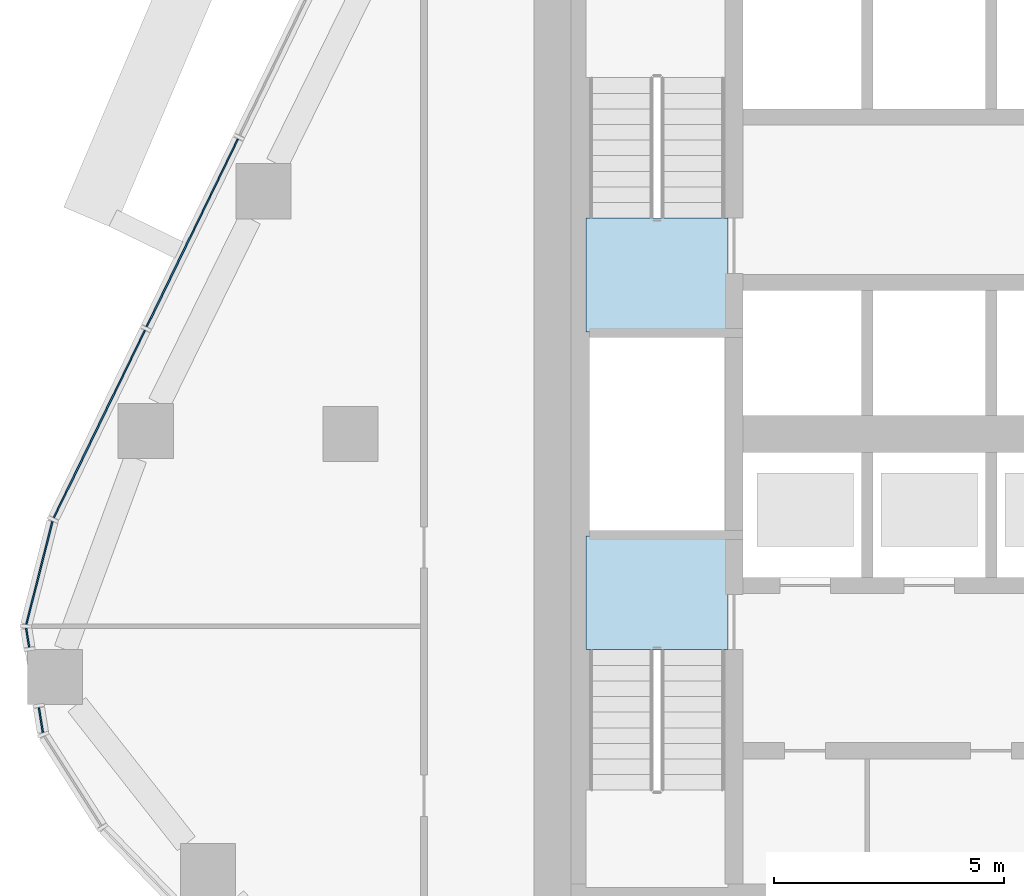
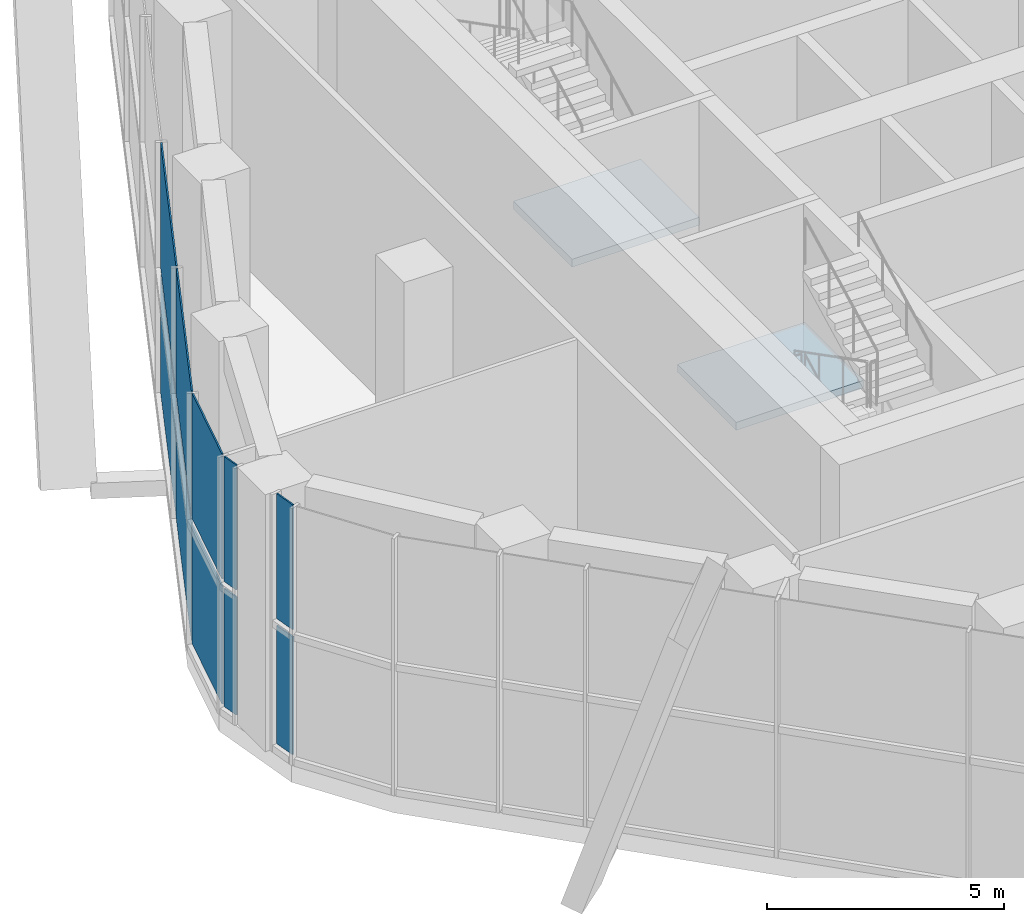
# One storey, part 7 of 20: 10 plates, 2 slabs, 5 elements without a shape of their own.
"""IFC4 building model written with IfcOpenShell, lengths in metres."""

from ifc_helpers import new_model, si_unit, direction, frame, origin, origin_2d, place, context, subcontext, project, spatial, polyline, rectangle, outline, extrude, material, layer, layer_set, type_object, element, aggregate, save


model = new_model("IFC4")

# Units and contexts
model_context = context("Model", 3, precision=1e-05, world=origin(), true_north=direction((0.0, 1.0)))
body_context = subcontext(model_context, "Body", "Model", "MODEL_VIEW")
ifc_project = project(units=[si_unit("LENGTHUNIT", "METRE"), si_unit("AREAUNIT", "SQUARE_METRE"), si_unit("VOLUMEUNIT", "CUBIC_METRE"), si_unit("PLANEANGLEUNIT", "RADIAN"), si_unit("MASSUNIT", "GRAM", prefix="KILO")], contexts=[model_context])

# Site, building, storey
site_placement = place(None, origin())
site = spatial("IfcSite", under=ifc_project, at=site_placement, CompositionType="ELEMENT")
building_placement = place(site_placement, origin())
building = spatial("IfcBuilding", under=site, at=building_placement, Name="Dongbaek Canopy Tower", CompositionType="ELEMENT")
storey_placement = place(building_placement, frame((0.0, 0.0, 151.60009765625)))
storey = spatial("IfcBuildingStorey", under=building, at=storey_placement, Name="L33", CompositionType="ELEMENT", Elevation=151.60009765625)

# Curtain wall, plates
ifc_material_1 = material(Name="Aluminium 6063-T6 pale anodised", Category="aluminium")
ifc_layer_1 = layer(ifc_material_1, 0.25)
ifc_layer_set_1 = layer_set([ifc_layer_1], Name="CW-4 sky-lobby curtain wall")
curtain_wall_type = type_object("IfcCurtainWallType", Name="CW-4 sky-lobby curtain wall", PredefinedType="NOTDEFINED", material=ifc_layer_set_1)
curtain_wall_1_placement = place(storey_placement, origin())
curtain_wall_1 = element("IfcCurtainWall", 1, at=curtain_wall_1_placement, inside=storey, type_object=curtain_wall_type, Name="CW-4 curtain wall F2.1", PredefinedType="NOTDEFINED")
ifc_material_2 = material(Name="Clear laminated glass", Category="glass")
ifc_layer_2 = layer(ifc_material_2, 0.035888671875)
ifc_layer_set_2 = layer_set([ifc_layer_2], Name="CW-4 glazed panel 36")
plate_type = type_object("IfcPlateType", Name="CW-4 glazed panel 36", PredefinedType="CURTAIN_PANEL", material=ifc_layer_set_2)
plate_1_placement = place(storey_placement, frame((-21.447509765625, 4.380126953125, 0.179931640625), z_axis=(0.0, 0.0, 1.0), x_axis=(-0.437336359513, -0.899298008809, 0.0)))
plate_1 = element("IfcPlate", 2, at=plate_1_placement, type_object=plate_type, Name="CW-4 panel F2.1.4.1", PredefinedType="CURTAIN_PANEL", context=body_context, shape_type="SweptSolid", body=[
    extrude(rectangle(XDim=4.541259765625, YDim=0.035888671875, at=origin_2d()), origin(), (0.0, 0.0, 1.0), 3.0400390625),
])
plate_2_placement = place(storey_placement, frame((-21.447509765625, 4.380126953125, 3.39990234375), z_axis=(0.0, 0.0, 1.0), x_axis=(-0.437336359513, -0.899298008809, 0.0)))
plate_2 = element("IfcPlate", 3, at=plate_2_placement, type_object=plate_type, Name="CW-4 panel F2.1.4.2", PredefinedType="CURTAIN_PANEL", context=body_context, shape_type="SweptSolid", body=[
    extrude(rectangle(XDim=4.541259765625, YDim=0.035888671875, at=origin_2d()), origin(), (0.0, 0.0, 1.0), 3.219970703125),
])
plate_3_placement = place(storey_placement, frame((-23.472412109375, 0.216064453125, 0.179931640625), z_axis=(0.0, 0.0, 1.0), x_axis=(-0.437336359513, -0.899298008809, 0.0)))
plate_3 = element("IfcPlate", 4, at=plate_3_placement, type_object=plate_type, Name="CW-4 panel F2.1.5.1", PredefinedType="CURTAIN_PANEL", context=body_context, shape_type="SweptSolid", body=[
    extrude(rectangle(XDim=4.531005859375, YDim=0.035888671875, at=origin_2d()), origin(), (0.0, 0.0, 1.0), 3.0400390625),
])
plate_4_placement = place(storey_placement, frame((-23.472412109375, 0.216064453125, 3.39990234375), z_axis=(0.0, 0.0, 1.0), x_axis=(-0.437336359513, -0.899298008809, 0.0)))
plate_4 = element("IfcPlate", 5, at=plate_4_placement, type_object=plate_type, Name="CW-4 panel F2.1.5.2", PredefinedType="CURTAIN_PANEL", context=body_context, shape_type="SweptSolid", body=[
    extrude(rectangle(XDim=4.531005859375, YDim=0.035888671875, at=origin_2d()), origin(), (0.0, 0.0, 1.0), 3.219970703125),
])
aggregate(curtain_wall_1, [plate_1, plate_2, plate_3, plate_4])

curtain_wall_2_placement = place(storey_placement, origin())
curtain_wall_2 = element("IfcCurtainWall", 6, at=curtain_wall_2_placement, inside=storey, type_object=curtain_wall_type, Name="CW-4 curtain wall K3.1a", PredefinedType="NOTDEFINED")
plate_5_placement = place(storey_placement, frame((-24.779052734375, -3.026611328125, 0.179931640625), z_axis=(0.0, 0.0, 1.0), x_axis=(-0.24610339439, -0.969243580979, 0.0)))
plate_5 = element("IfcPlate", 7, at=plate_5_placement, type_object=plate_type, Name="CW-4 panel K3.1a.1.1", PredefinedType="CURTAIN_PANEL", context=body_context, shape_type="SweptSolid", body=[
    extrude(rectangle(XDim=2.305908203125, YDim=0.035888671875, at=origin_2d()), origin(), (0.0, 0.0, 1.0), 3.0400390625),
])
plate_6_placement = place(storey_placement, frame((-24.779052734375, -3.026611328125, 3.39990234375), z_axis=(0.0, 0.0, 1.0), x_axis=(-0.24610339439, -0.969243580979, 0.0)))
plate_6 = element("IfcPlate", 8, at=plate_6_placement, type_object=plate_type, Name="CW-4 panel K3.1a.1.2", PredefinedType="CURTAIN_PANEL", context=body_context, shape_type="SweptSolid", body=[
    extrude(rectangle(XDim=2.305908203125, YDim=0.035888671875, at=origin_2d()), origin(), (0.0, 0.0, 1.0), 3.219970703125),
])
plate_7_placement = place(storey_placement, frame((-25.034423828125, -4.4384765625, 0.179931640625), z_axis=(0.0, 0.0, 1.0), x_axis=(0.158622602213, -0.987339288222, 0.0)))
plate_7 = element("IfcPlate", 9, at=plate_7_placement, type_object=plate_type, Name="CW-4 panel K3.1a.2.1", PredefinedType="CURTAIN_PANEL", context=body_context, shape_type="SweptSolid", body=[
    extrude(rectangle(XDim=0.410400390625, YDim=0.035888671875, at=origin_2d()), origin(), (0.0, 0.0, 1.0), 3.0400390625),
])
plate_8_placement = place(storey_placement, frame((-25.034423828125, -4.4384765625, 3.39990234375), z_axis=(0.0, 0.0, 1.0), x_axis=(0.158622602213, -0.987339288222, 0.0)))
plate_8 = element("IfcPlate", 10, at=plate_8_placement, type_object=plate_type, Name="CW-4 panel K3.1a.2.2", PredefinedType="CURTAIN_PANEL", context=body_context, shape_type="SweptSolid", body=[
    extrude(rectangle(XDim=0.410400390625, YDim=0.035888671875, at=origin_2d()), origin(), (0.0, 0.0, 1.0), 3.219970703125),
])
aggregate(curtain_wall_2, [plate_5, plate_6, plate_7, plate_8])

curtain_wall_3_placement = place(storey_placement, origin())
curtain_wall_3 = element("IfcCurtainWall", 11, at=curtain_wall_3_placement, inside=storey, type_object=curtain_wall_type, Name="CW-4 curtain wall K3.1b", PredefinedType="NOTDEFINED")
plate_9_placement = place(storey_placement, frame((-24.74609375, -6.233642578125, 0.179931640625), z_axis=(0.0, 0.0, 1.0), x_axis=(0.158622602213, -0.987339288222, 0.0)))
plate_9 = element("IfcPlate", 12, at=plate_9_placement, type_object=plate_type, Name="CW-4 panel K3.1b.1.1", PredefinedType="CURTAIN_PANEL", context=body_context, shape_type="SweptSolid", body=[
    extrude(rectangle(XDim=0.544189453125, YDim=0.035888671875, at=origin_2d()), origin(), (0.0, 0.0, 1.0), 3.0400390625),
])
plate_10_placement = place(storey_placement, frame((-24.74609375, -6.233642578125, 3.39990234375), z_axis=(0.0, 0.0, 1.0), x_axis=(0.158622602213, -0.987339288222, 0.0)))
plate_10 = element("IfcPlate", 13, at=plate_10_placement, type_object=plate_type, Name="CW-4 panel K3.1b.1.2", PredefinedType="CURTAIN_PANEL", context=body_context, shape_type="SweptSolid", body=[
    extrude(rectangle(XDim=0.544189453125, YDim=0.035888671875, at=origin_2d()), origin(), (0.0, 0.0, 1.0), 3.219970703125),
])
aggregate(curtain_wall_3, [plate_9, plate_10])

# Stair, slab
ifc_material_3 = material(Name="Concrete C40/50", Category="concrete")
stair_type = type_object("IfcStairType", Name="Core exit stair", PredefinedType="HALF_TURN_STAIR", material=ifc_material_3)
stair_1_placement = place(storey_placement, origin())
stair_1 = element("IfcStair", 14, at=stair_1_placement, inside=storey, type_object=stair_type, Name="L33 exit stair C", PredefinedType="HALF_TURN_STAIR")
ifc_material_4 = material(Name="Concrete C40/50", Category="concrete")
ifc_layer_3 = layer(ifc_material_4, 0.199951171875)
ifc_layer_set_3 = layer_set([ifc_layer_3], Name="Core stair landing 200")
slab_type = type_object("IfcSlabType", Name="Core stair landing 200", PredefinedType="LANDING", material=ifc_layer_set_3)
slab_1_placement = place(storey_placement, frame((0.0, 0.0, 3.2998046875)))
slab_1 = element("IfcSlab", 15, at=slab_1_placement, type_object=slab_type, Name="ST-C landing 2", PredefinedType="LANDING", context=body_context, shape_type="SweptSolid", body=[
    extrude(outline(polyline([(-9.77490234375, 2.22509765625), (-9.77490234375, 4.699951171875), (-12.875, 4.699951171875), (-12.875, 2.22509765625), (-9.77490234375, 2.22509765625)])), origin(), (0.0, 0.0, 1.0), 0.2001953125),
])
aggregate(stair_1, [slab_1])

stair_2_placement = place(storey_placement, origin())
stair_2 = element("IfcStair", 16, at=stair_2_placement, inside=storey, type_object=stair_type, Name="L33 exit stair D", PredefinedType="HALF_TURN_STAIR")
slab_2_placement = place(storey_placement, frame((0.0, 0.0, 3.2998046875)))
slab_2 = element("IfcSlab", 17, at=slab_2_placement, type_object=slab_type, Name="ST-D landing 2", PredefinedType="LANDING", context=body_context, shape_type="SweptSolid", body=[
    extrude(outline(polyline([(-12.875, -2.22509765625), (-12.875, -4.699951171875), (-9.77490234375, -4.699951171875), (-9.77490234375, -2.22509765625), (-12.875, -2.22509765625)])), origin(), (0.0, 0.0, 1.0), 0.2001953125),
])
aggregate(stair_2, [slab_2])

save(model, "model.ifc")
